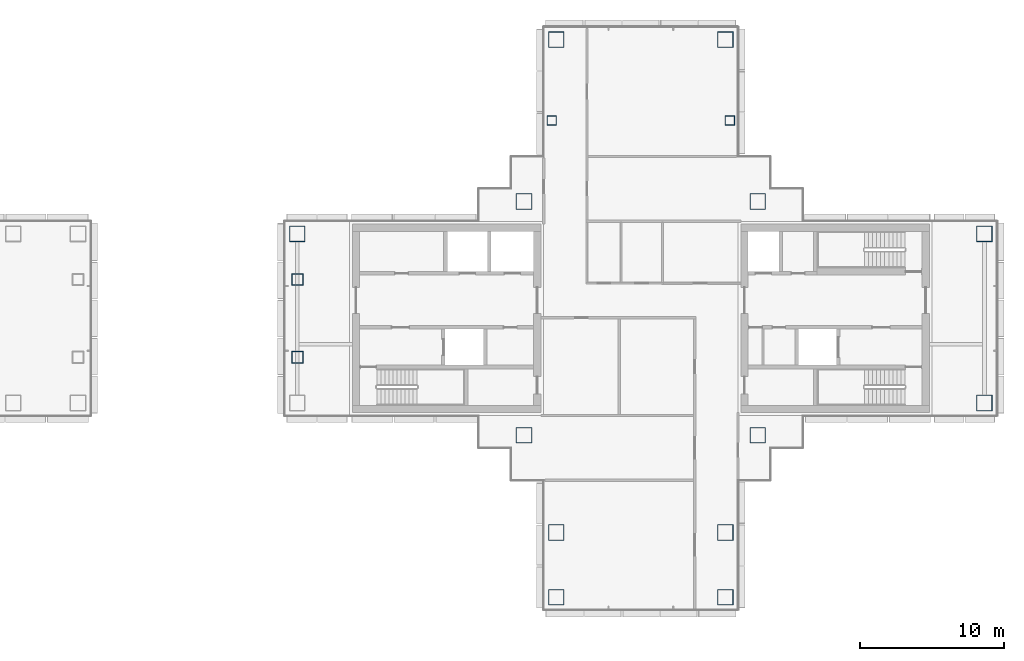
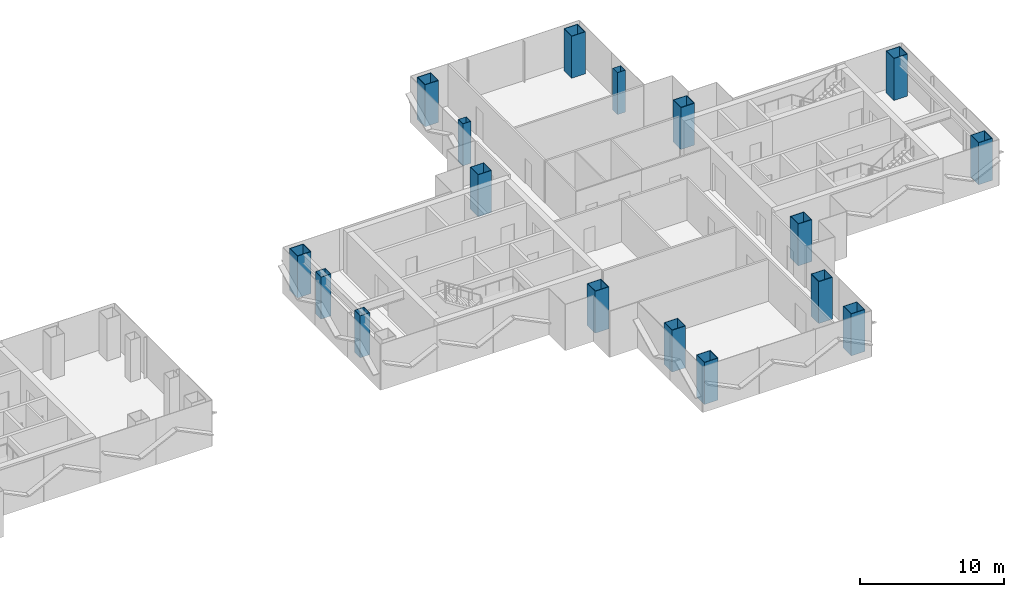
# One storey, part 2 of 16: 17 columns.
"""IFC4 building model written with IfcOpenShell, lengths in metres."""

from ifc_helpers import new_model, si_unit, direction, frame, origin, origin_2d, place, context, subcontext, project, spatial, hollow_rectangle, extrude, material, material_profile, profile_set, type_object, element, save


model = new_model("IFC4")

# Units and contexts
model_context = context("Model", 3, precision=1e-05, world=origin(), true_north=direction((0.0, 1.0)))
body_context = subcontext(model_context, "Body", "Model", "MODEL_VIEW")
ifc_project = project(units=[si_unit("LENGTHUNIT", "METRE"), si_unit("AREAUNIT", "SQUARE_METRE"), si_unit("VOLUMEUNIT", "CUBIC_METRE"), si_unit("PLANEANGLEUNIT", "RADIAN"), si_unit("MASSUNIT", "GRAM", prefix="KILO")], contexts=[model_context])

# Site, building, storey
site_placement = place(None, origin())
site = spatial("IfcSite", under=ifc_project, at=site_placement, CompositionType="ELEMENT")
building_placement = place(site_placement, origin())
building = spatial("IfcBuilding", under=site, at=building_placement, Name="Shamsa Quay Exchange Towers", CompositionType="ELEMENT")
storey_placement = place(building_placement, frame((0.0, 0.0, 166.199951171875)))
storey = spatial("IfcBuildingStorey", under=building, at=storey_placement, Name="L39", CompositionType="ELEMENT", Elevation=166.199951171875)

# Columns
ifc_material_1 = material(Name="Concrete-filled steel tube S355 / C80/95", Category="concrete")
ifc_material_profile_1 = material_profile(ifc_material_1, hollow_rectangle(XDim=1.10009765625, YDim=1.10009765625, WallThickness=0.0400390625, at=origin_2d()), Name="CFT 1100x1100x40")
ifc_profile_set_1 = profile_set([ifc_material_profile_1], Name="Concrete-filled steel tube S355 / C80/95")
column_type_1 = type_object("IfcColumnType", Name="Column CFT 1100x1100x40", PredefinedType="COLUMN", material=ifc_profile_set_1)
for number, where, name in (
    (1, (25.625, 8.125, 0.0), "Mega column T2-CM01"),
    (2, (41.875, 8.125, 0.0), "Mega column T2-CM02"),
    (3, (25.625, -8.125, 0.0), "Mega column T2-CM03"),
    (4, (41.875, -8.125, 0.0), "Mega column T2-CM04"),
    (5, (39.625, 19.375, 0.0), "Mega column T2-CM06"),
    (6, (27.875, 19.375, 0.0), "Mega column T2-CM10"),
    (7, (39.625, -14.875, 0.0), "Mega column T2-CM13"),
    (8, (39.625, -19.375, 0.0), "Mega column T2-CM14"),
    (9, (27.875, -14.875, 0.0), "Mega column T2-CM16"),
    (10, (27.875, -19.375, 0.0), "Mega column T2-CM17"),
    (11, (9.875, 5.875, 0.0), "Mega column T2-CM20"),
    (12, (57.625, -5.875, 0.0), "Mega column T2-CM21"),
    (13, (57.625, 5.875, 0.0), "Mega column T2-CM23"),
):
    element("IfcColumn", number, at=place(storey_placement, frame(where)), inside=storey, type_object=column_type_1, Name=name, PredefinedType="COLUMN", context=body_context, shape_type="SweptSolid", body=[
        extrude(hollow_rectangle(XDim=1.10009765625, YDim=1.10009765625, WallThickness=0.0400390625, at=origin_2d()), origin(), (0.0, 0.0, 1.0), 3.550048828125),
    ])
ifc_material_2 = material(Name="Concrete-filled steel tube S355 / C60/75", Category="concrete")
ifc_material_profile_2 = material_profile(ifc_material_2, hollow_rectangle(XDim=0.64990234375, YDim=0.64990234375, WallThickness=0.02001953125, at=origin_2d()), Name="CFT 650x650x20")
ifc_profile_set_2 = profile_set([ifc_material_profile_2], Name="Concrete-filled steel tube S355 / C60/75")
column_type_2 = type_object("IfcColumnType", Name="Column CFT 650x650x20", PredefinedType="COLUMN", material=ifc_profile_set_2)
for number, where, name in (
    (14, (39.9375, 13.75, 0.0), "Perimeter column T2-CP05"),
    (15, (27.5625, 13.75, 0.0), "Perimeter column T2-CP09"),
):
    element("IfcColumn", number, at=place(storey_placement, frame(where)), inside=storey, type_object=column_type_2, Name=name, PredefinedType="COLUMN", context=body_context, shape_type="SweptSolid", body=[
        extrude(hollow_rectangle(XDim=0.64990234375, YDim=0.64990234375, WallThickness=0.02001953125, at=origin_2d()), origin(), (0.0, 0.0, 1.0), 3.550048828125),
    ])
ifc_material_3 = material(Name="Concrete-filled steel tube S355 / C70/85", Category="concrete")
ifc_material_profile_3 = material_profile(ifc_material_3, hollow_rectangle(XDim=0.800048828125, YDim=0.800048828125, WallThickness=0.030029296875, at=origin_2d()), Name="CFT 800x800x30")
ifc_profile_set_3 = profile_set([ifc_material_profile_3], Name="Concrete-filled steel tube S355 / C70/85")
column_type_3 = type_object("IfcColumnType", Name="Landing column CFT 800x800x30", PredefinedType="COLUMN", material=ifc_profile_set_3)
for number, where, name in (
    (16, (9.875, -2.699951171875, 0.0), "Landing column T2 S"),
    (17, (9.875, 2.699951171875, 0.0), "Landing column T2 N"),
):
    element("IfcColumn", number, at=place(storey_placement, frame(where)), inside=storey, type_object=column_type_3, Name=name, PredefinedType="COLUMN", context=body_context, shape_type="SweptSolid", body=[
        extrude(hollow_rectangle(XDim=0.800048828125, YDim=0.800048828125, WallThickness=0.030029296875, at=origin_2d()), origin(), (0.0, 0.0, 1.0), 3.550048828125),
    ])

save(model, "model.ifc")
